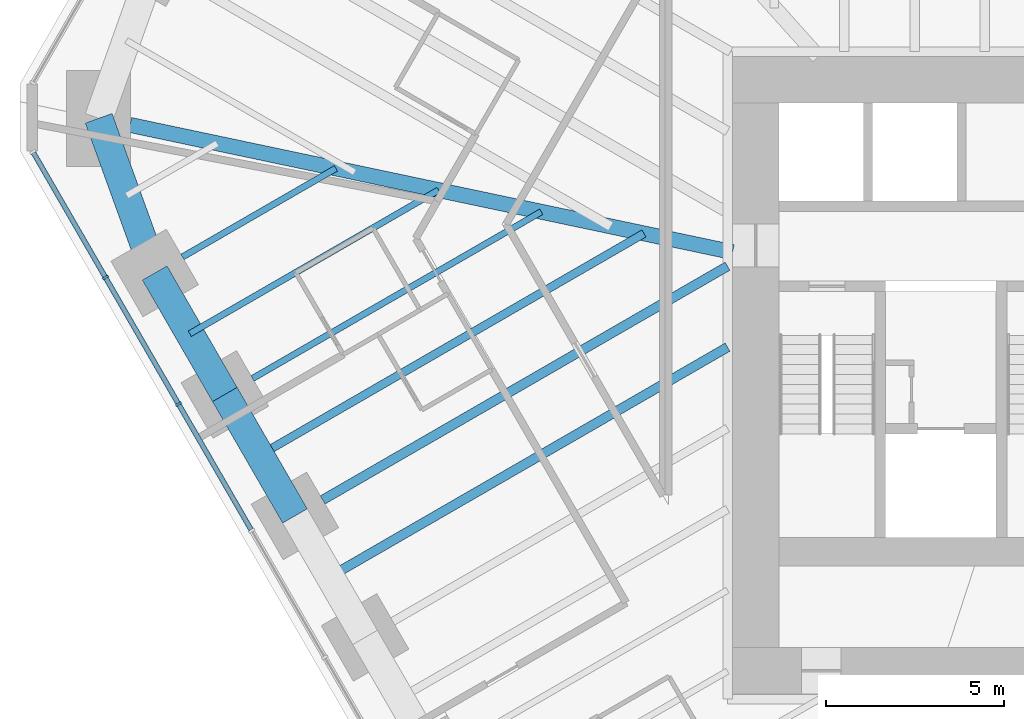
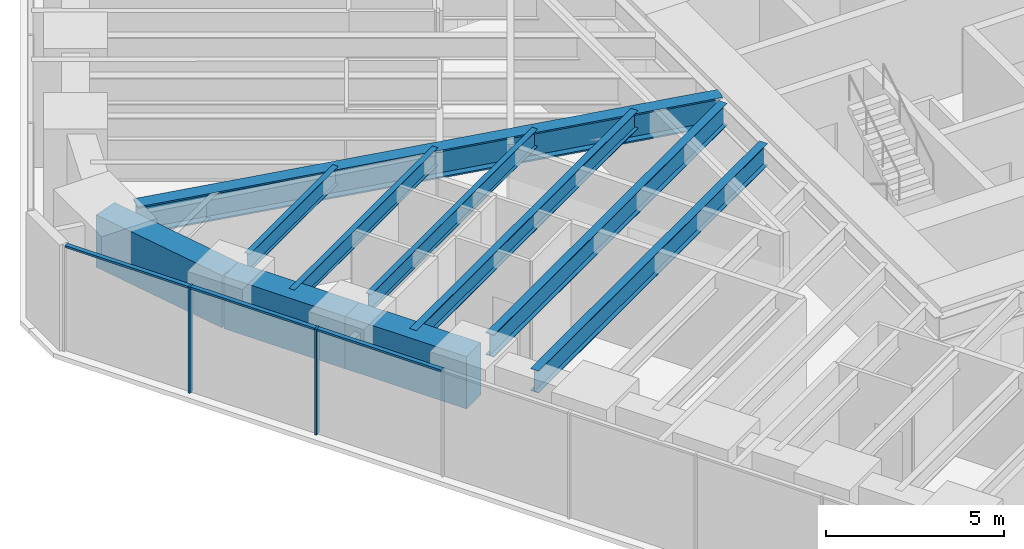
# One storey, part 3 of 17: 10 beams, 5 members, 1 element without a shape of its own.
"""IFC4 building model written with IfcOpenShell, lengths in metres."""

import ifcopenshell
import ifcopenshell.guid

model = None  # the IFC model being written
_history = None  # IfcOwnerHistory: only IFC2X3 demands one
_inside = {}  # id of a spatial element -> (the spatial element, [elements in it])
_under = {}  # id of a project, library or spatial element -> (it, [spatial elements below it])
_declared = {}  # id of a project -> (the project, [libraries it declares])
_typed = {}  # id of a type object -> (the type object, [elements of that type])
_made_of = {}  # id of a material, layer set ... -> (it, [elements and type objects made of it])


def new_model(schema):
    """Start an empty IFC model of exactly this schema.

    Asked for "IFC4X3", IfcOpenShell would pick the latest addendum, in which some entities
    have other attributes; the version numbers below select the first issue.
    IFC2X3 requires an IfcOwnerHistory on every rooted entity: one is made here for all.
    """
    global model, _history
    if schema == "IFC4X3":
        model = ifcopenshell.file(schema_version=(4, 3, 0, 0))
    else:
        model = ifcopenshell.file(schema=schema)
    _inside.clear()
    _under.clear()
    _declared.clear()
    _typed.clear()
    _made_of.clear()
    _history = None
    if model.schema == "IFC2X3":
        org = make("IfcOrganization", Name="unknown")
        user = make(
            "IfcPersonAndOrganization",
            ThePerson=make("IfcPerson", FamilyName="unknown"),
            TheOrganization=org,
        )
        app = make(
            "IfcApplication",
            ApplicationDeveloper=org,
            Version="unknown",
            ApplicationFullName="unknown",
            ApplicationIdentifier="unknown",
        )
        _history = make(
            "IfcOwnerHistory",
            OwningUser=user,
            OwningApplication=app,
            ChangeAction="ADDED",
            CreationDate=0,
        )
    return model


def make(cls, **values):
    """One entity of the class cls with the attributes given. An attribute that is None is left unset."""
    return model.create_entity(
        cls, **{name: value for name, value in values.items() if value is not None}
    )


def rooted(cls, **values):
    """An entity with a GlobalId (a new one), such as an element, a storey or a relation."""
    return make(cls, GlobalId=ifcopenshell.guid.new(), OwnerHistory=_history, **values)


def si_unit(unit_type, name, prefix=None):
    """IfcSIUnit, for example si_unit("LENGTHUNIT", "METRE", prefix="MILLI")."""
    return make("IfcSIUnit", UnitType=unit_type, Prefix=prefix, Name=name)


def assignment(units):
    """IfcUnitAssignment: the units of a project."""
    return None if units is None else make("IfcUnitAssignment", Units=units)


def point(xyz):
    """IfcCartesianPoint."""
    return None if xyz is None else make("IfcCartesianPoint", Coordinates=xyz)


def direction(xyz):
    """IfcDirection."""
    return None if xyz is None else make("IfcDirection", DirectionRatios=xyz)


def frame(location, z_axis=None, x_axis=None):
    """IfcAxis2Placement3D, a coordinate frame: its origin and axes. An axis left out is left unset."""
    return make(
        "IfcAxis2Placement3D",
        Location=point(location),
        Axis=direction(z_axis),
        RefDirection=direction(x_axis),
    )


def frame_2d(location, x_axis=None):
    """IfcAxis2Placement2D, a coordinate frame in the plane: its origin and x axis."""
    return make(
        "IfcAxis2Placement2D", Location=point(location), RefDirection=direction(x_axis)
    )


def origin():
    """The frame at (0, 0, 0) with its axes left unset."""
    return frame((0.0, 0.0, 0.0))


def origin_2d():
    """The frame at (0, 0) in the plane with its x axis left unset."""
    return frame_2d((0.0, 0.0))


def place(relative_to, where):
    """IfcLocalPlacement: puts the frame where relative to a parent placement (None: the world)."""
    return make(
        "IfcLocalPlacement", PlacementRelTo=relative_to, RelativePlacement=where
    )


def context(
    kind, dimensions, precision=None, world=None, true_north=None, identifier=None
):
    """IfcGeometricRepresentationContext, for example the 3D "Model" context."""
    return make(
        "IfcGeometricRepresentationContext",
        ContextIdentifier=identifier,
        ContextType=kind,
        CoordinateSpaceDimension=dimensions,
        Precision=precision,
        WorldCoordinateSystem=world,
        TrueNorth=true_north,
    )


def subcontext(parent, identifier, kind, view, scale=None):
    """IfcGeometricRepresentationSubContext, for example "Body" below "Model"."""
    return make(
        "IfcGeometricRepresentationSubContext",
        ContextIdentifier=identifier,
        ContextType=kind,
        ParentContext=parent,
        TargetScale=scale,
        TargetView=view,
    )


def project(units=None, contexts=None):
    """IfcProject with its units and contexts."""
    return rooted(
        "IfcProject",
        Name="project",
        RepresentationContexts=contexts,
        UnitsInContext=assignment(units),
    )


def spatial(cls, under=None, at=None, **own):
    """A site, building, storey or space (cls), placed at a placement, below another one or the project."""
    s = rooted(cls, ObjectPlacement=at, **own)
    if under is not None:
        _under.setdefault(under.id(), (under, []))[1].append(s)
    return s


def profile(cls, at=None, kind="AREA", **sizes):
    """A parametric profile (cls). Its sizes go by their IFC names, for example OverallWidth=200.0."""
    return make(cls, ProfileType=kind, Position=at, **sizes)


def rectangle(**sizes):
    """IfcRectangleProfileDef."""
    return profile("IfcRectangleProfileDef", **sizes)


def i_section(**sizes):
    """IfcIShapeProfileDef."""
    return profile("IfcIShapeProfileDef", **sizes)


def extrude(swept, where, along, depth):
    """IfcExtrudedAreaSolid: the profile swept, set in the frame where, extruded along a direction by depth."""
    return make(
        "IfcExtrudedAreaSolid",
        SweptArea=swept,
        Position=where,
        ExtrudedDirection=direction(along),
        Depth=depth,
    )


def shape(context_of_items, identifier, shape_type, items):
    """IfcShapeRepresentation: the items that make up one representation, for example the "Body"."""
    return make(
        "IfcShapeRepresentation",
        ContextOfItems=context_of_items,
        RepresentationIdentifier=identifier,
        RepresentationType=shape_type,
        Items=items,
    )


def material(Name=None, Category=None):
    """IfcMaterial."""
    return make("IfcMaterial", Name=Name, Category=Category)


def material_profile(
    of_material, cross_section, Name=None, Category=None, Priority=None
):
    """IfcMaterialProfile: a cross section and its material."""
    return make(
        "IfcMaterialProfile",
        Name=Name,
        Material=of_material,
        Profile=cross_section,
        Priority=Priority,
        Category=Category,
    )


def profile_set(profiles, Name=None, composite=None):
    """IfcMaterialProfileSet."""
    return make(
        "IfcMaterialProfileSet",
        Name=Name,
        MaterialProfiles=profiles,
        CompositeProfile=composite,
    )


def made_of(thing, what):
    """Note that an element or type object is made of a material, layer set ...; save() writes the relation."""
    if what is not None:
        _made_of.setdefault(what.id(), (what, []))[1].append(thing)
    return thing


def type_object(cls, material=None, **own):
    """A type object (cls), such as IfcWallType, which elements share."""
    return made_of(rooted(cls, **own), material)


def element(
    cls,
    number,
    at=None,
    inside=None,
    cuts=None,
    type_object=None,
    material=None,
    context=None,
    identifier="Body",
    shape_type=None,
    held_by="IfcProductDefinitionShape",
    body=None,
    shapes=None,
    **own,
):
    """One element of the class cls, such as IfcWall. Its Tag is "e" and its number.

    at: its placement. inside: the storey or other place that contains it. cuts: it is an
    opening in that element (IfcRelVoidsElement). A single representation is given by context,
    identifier, shape_type and body (its items); several are given by shapes. held_by: the class
    of the entity that holds the representations. save() writes the other relations.
    """
    e = rooted(cls, Tag="e%d" % number, ObjectPlacement=at, **own)
    if body is not None:
        shapes = [shape(context, identifier, shape_type, body)]
    if shapes is not None:
        e.Representation = make(held_by, Representations=shapes)
    if inside is not None:
        _inside.setdefault(inside.id(), (inside, []))[1].append(e)
    if cuts is not None:
        rooted(
            "IfcRelVoidsElement", RelatingBuildingElement=cuts, RelatedOpeningElement=e
        )
    if type_object is not None:
        _typed.setdefault(type_object.id(), (type_object, []))[1].append(e)
    return made_of(e, material)


def aggregate(whole, parts):
    """IfcRelAggregates: a whole, such as a stair, and the parts it consists of."""
    return rooted("IfcRelAggregates", RelatingObject=whole, RelatedObjects=parts)


def save(model, path):
    """Write the relations noted so far, then the file.

    IfcRelAggregates (storeys below a building ...), IfcRelContainedInSpatialStructure (elements
    in a storey), IfcRelDefinesByType, IfcRelAssociatesMaterial and IfcRelDeclares: one each for
    every whole, place, type object, material and project.
    """
    for whole, parts in _under.values():
        aggregate(whole, parts)
    for where, things in _inside.values():
        rooted(
            "IfcRelContainedInSpatialStructure",
            RelatedElements=things,
            RelatingStructure=where,
        )
    for kind, things in _typed.values():
        rooted("IfcRelDefinesByType", RelatedObjects=things, RelatingType=kind)
    for what, things in _made_of.values():
        rooted("IfcRelAssociatesMaterial", RelatedObjects=things, RelatingMaterial=what)
    for by, libraries in _declared.values():
        rooted("IfcRelDeclares", RelatingContext=by, RelatedDefinitions=libraries)
    model.write(path)


model = new_model("IFC4")

# Units and contexts
model_context = context("Model", 3, precision=1e-05, world=origin(), true_north=direction((0.0, 1.0)))
body_context = subcontext(model_context, "Body", "Model", "MODEL_VIEW")
ifc_project = project(units=[si_unit("LENGTHUNIT", "METRE"), si_unit("AREAUNIT", "SQUARE_METRE"), si_unit("VOLUMEUNIT", "CUBIC_METRE"), si_unit("PLANEANGLEUNIT", "RADIAN"), si_unit("MASSUNIT", "GRAM", prefix="KILO")], contexts=[model_context])

# Site, building, storey
site_placement = place(None, origin())
site = spatial("IfcSite", under=ifc_project, at=site_placement, CompositionType="ELEMENT")
building_placement = place(site_placement, origin())
building = spatial("IfcBuilding", under=site, at=building_placement, Name="Sandreach Pilgrim Tower", CompositionType="ELEMENT")
storey_placement = place(building_placement, frame((0.0, 0.0, 104.39990234375)))
storey = spatial("IfcBuildingStorey", under=building, at=storey_placement, Name="L25", CompositionType="ELEMENT", Elevation=104.39990234375)

# Curtain wall, members
ifc_material_1 = material(Name="Aluminium framed curtain wall", Category="aluminium")
curtain_wall_type = type_object("IfcCurtainWallType", Name="Hotel tower curtain wall", PredefinedType="NOTDEFINED", material=ifc_material_1)
curtain_wall_placement = place(storey_placement, origin())
curtain_wall = element("IfcCurtainWall", 1, at=curtain_wall_placement, inside=storey, type_object=curtain_wall_type, Name="CW-2 L25 SW", PredefinedType="NOTDEFINED")
ifc_material_2 = material(Name="Aluminium extrusion", Category="aluminium")
ifc_material_profile_1 = material_profile(ifc_material_2, rectangle(XDim=0.06494140625, YDim=0.179931640625, at=origin_2d()), Name="CW-2M 65X180")
ifc_profile_set_1 = profile_set([ifc_material_profile_1], Name="Aluminium extrusion")
member_type_1 = type_object("IfcMemberType", Name="CW-2 mullion", PredefinedType="MULLION", material=ifc_profile_set_1)
member_1_placement = place(storey_placement, frame((-24.614013671875, -2.35498046875, 0.0), z_axis=(0.0, 0.0, 1.0), x_axis=(-0.5, 0.866025403784, 0.0)))
member_1 = element("IfcMember", 2, at=member_1_placement, type_object=member_type_1, Name="CW-2 mullion 8", PredefinedType="MULLION", context=body_context, shape_type="SweptSolid", body=[
    extrude(rectangle(XDim=0.06494140625, YDim=0.179931640625, at=origin_2d()), origin(), (0.0, 0.0, 1.0), 3.64013671875),
])
member_2_placement = place(storey_placement, frame((-26.66748046875, 1.20166015625, 0.0), z_axis=(0.0, 0.0, 1.0), x_axis=(-0.5, 0.866025403784, 0.0)))
member_2 = element("IfcMember", 3, at=member_2_placement, type_object=member_type_1, Name="CW-2 mullion 9", PredefinedType="MULLION", context=body_context, shape_type="SweptSolid", body=[
    extrude(rectangle(XDim=0.06494140625, YDim=0.179931640625, at=origin_2d()), origin(), (0.0, 0.0, 1.0), 3.64013671875),
])
ifc_material_3 = material(Name="Aluminium extrusion", Category="aluminium")
ifc_material_profile_2 = material_profile(ifc_material_3, rectangle(XDim=0.139892578125, YDim=0.070068359375, at=origin_2d()), Name="CW-2T 140X70")
ifc_profile_set_2 = profile_set([ifc_material_profile_2], Name="Aluminium extrusion")
member_type_2 = type_object("IfcMemberType", Name="CW-2 transom", PredefinedType="USERDEFINED", material=ifc_profile_set_2)
member_3_placement = place(storey_placement, frame((-22.57666015625, -5.883544921875, 3.60498046875), z_axis=(-0.500023973715, 0.866011562111, 0.0), x_axis=(-0.866011562111, -0.500023973715, 0.0)))
member_3 = element("IfcMember", 4, at=member_3_placement, type_object=member_type_2, Name="CW-2 head transom 7", ObjectType="TRANSOM", PredefinedType="USERDEFINED", context=body_context, shape_type="SweptSolid", body=[
    extrude(rectangle(XDim=0.139892578125, YDim=0.070068359375, at=origin_2d()), origin(), (0.0, 0.0, 1.0), 4.041748046875),
])
member_4_placement = place(storey_placement, frame((-24.630126953125, -2.326904296875, 3.60498046875), z_axis=(-0.499997818338, 0.866026663364, 0.0), x_axis=(-0.866026663364, -0.499997818338, 0.0)))
member_4 = element("IfcMember", 5, at=member_4_placement, type_object=member_type_2, Name="CW-2 head transom 8", ObjectType="TRANSOM", PredefinedType="USERDEFINED", context=body_context, shape_type="SweptSolid", body=[
    extrude(rectangle(XDim=0.139892578125, YDim=0.070068359375, at=origin_2d()), origin(), (0.0, 0.0, 1.0), 4.0419921875),
])
member_5_placement = place(storey_placement, frame((-26.68359375, 1.229736328125, 3.60498046875), z_axis=(-0.500015851672, 0.866016251624, 0.0), x_axis=(-0.866016251624, -0.500015851672, 0.0)))
member_5 = element("IfcMember", 6, at=member_5_placement, type_object=member_type_2, Name="CW-2 head transom 9", ObjectType="TRANSOM", PredefinedType="USERDEFINED", context=body_context, shape_type="SweptSolid", body=[
    extrude(rectangle(XDim=0.139892578125, YDim=0.070068359375, at=origin_2d()), origin(), (0.0, 0.0, 1.0), 4.009521484375),
])
aggregate(curtain_wall, [member_1, member_2, member_3, member_4, member_5])

# Beams
ifc_material_4 = material(Name="Steel ASTM A992 Grade 50", Category="steel")
ifc_material_profile_3 = material_profile(ifc_material_4, i_section(OverallWidth=0.424072265625, OverallDepth=0.965087890625, WebThickness=0.028564453125, FlangeThickness=0.051025390625, at=origin_2d()), Name="W36X361")
ifc_profile_set_3 = profile_set([ifc_material_profile_3], Name="Steel ASTM A992 Grade 50")
beam_type_1 = type_object("IfcBeamType", Name="Corner girder W36X361", PredefinedType="BEAM", material=ifc_profile_set_3)
beam_1_placement = place(storey_placement, frame((-25.976806640625, 5.484619140625, 3.157470703125), z_axis=(0.978427882284, -0.206588671447, 0.0), x_axis=(0.206588671447, 0.978427882284, 0.0)))
element("IfcBeam", 7, at=beam_1_placement, inside=storey, type_object=beam_type_1, Name="BM L25 CG35", PredefinedType="BEAM", context=body_context, shape_type="SweptSolid", body=[
    extrude(i_section(OverallWidth=0.424072265625, OverallDepth=0.965087890625, WebThickness=0.028564453125, FlangeThickness=0.051025390625, at=origin_2d()), origin(), (0.0, 0.0, 1.0), 17.300048828125),
])
ifc_material_5 = material(Name="Steel ASTM A992 Grade 50", Category="steel")
ifc_material_profile_4 = material_profile(ifc_material_5, i_section(OverallWidth=0.1787109375, OverallDepth=0.60205078125, WebThickness=0.010986328125, FlangeThickness=0.014892578125, at=origin_2d()), Name="W24X62")
ifc_profile_set_4 = profile_set([ifc_material_profile_4], Name="Steel ASTM A992 Grade 50")
beam_type_2 = type_object("IfcBeamType", Name="Floor beam W24X62", PredefinedType="BEAM", material=ifc_profile_set_4)
beam_2_placement = place(storey_placement, frame((-22.534423828125, -1.63671875, 3.339111328125), z_axis=(0.866012351917, 0.500022605817, 0.0), x_axis=(-0.500022605817, 0.866012351917, 0.0)))
element("IfcBeam", 8, at=beam_2_placement, inside=storey, type_object=beam_type_2, Name="BM L25 F33", PredefinedType="BEAM", context=body_context, shape_type="SweptSolid", body=[
    extrude(i_section(OverallWidth=0.1787109375, OverallDepth=0.60205078125, WebThickness=0.010986328125, FlangeThickness=0.014892578125, at=origin_2d()), origin(), (0.0, 0.0, 1.0), 9.3642578125),
])
beam_3_placement = place(storey_placement, frame((-24.50439453125, 1.775390625, 3.339111328125), z_axis=(0.866024645457, 0.500001313459, 0.0), x_axis=(-0.500001313459, 0.866024645457, 0.0)))
element("IfcBeam", 9, at=beam_3_placement, inside=storey, type_object=beam_type_2, Name="BM L25 F34", PredefinedType="BEAM", context=body_context, shape_type="SweptSolid", body=[
    extrude(i_section(OverallWidth=0.1787109375, OverallDepth=0.60205078125, WebThickness=0.010986328125, FlangeThickness=0.014892578125, at=origin_2d()), origin(), (0.0, 0.0, 1.0), 4.9765625),
])
beam_4_placement = place(storey_placement, frame((-24.298828125, -0.380615234375, 3.339111328125), z_axis=(0.866022864518, 0.500004398112, 0.0), x_axis=(-0.500004398112, 0.866022864518, 0.0)))
element("IfcBeam", 10, at=beam_4_placement, inside=storey, type_object=beam_type_2, Name="BM L25 FM33", PredefinedType="BEAM", context=body_context, shape_type="SweptSolid", body=[
    extrude(i_section(OverallWidth=0.1787109375, OverallDepth=0.60205078125, WebThickness=0.010986328125, FlangeThickness=0.014892578125, at=origin_2d()), origin(), (0.0, 0.0, 1.0), 8.0703125),
])
ifc_material_6 = material(Name="Steel ASTM A992 Grade 50", Category="steel")
ifc_material_profile_5 = material_profile(ifc_material_6, i_section(OverallWidth=0.23046875, OverallDepth=0.6171875, WebThickness=0.01318359375, FlangeThickness=0.022216796875, at=origin_2d()), Name="W24X94")
ifc_profile_set_5 = profile_set([ifc_material_profile_5], Name="Steel ASTM A992 Grade 50")
beam_type_3 = type_object("IfcBeamType", Name="Floor beam W24X94", PredefinedType="BEAM", material=ifc_profile_set_5)
beam_5_placement = place(storey_placement, frame((-22.328857421875, -3.792724609375, 3.33154296875), z_axis=(0.866019150617, 0.500010830648, 0.0), x_axis=(-0.500010830648, 0.866019150617, 0.0)))
element("IfcBeam", 11, at=beam_5_placement, inside=storey, type_object=beam_type_3, Name="BM L25 FM32", PredefinedType="BEAM", context=body_context, shape_type="SweptSolid", body=[
    extrude(i_section(OverallWidth=0.23046875, OverallDepth=0.6171875, WebThickness=0.01318359375, FlangeThickness=0.022216796875, at=origin_2d()), origin(), (0.0, 0.0, 1.0), 12.458251953125),
])
ifc_material_7 = material(Name="Steel ASTM A992 Grade 50", Category="steel")
ifc_material_profile_6 = material_profile(ifc_material_7, i_section(OverallWidth=0.2666015625, OverallDepth=0.761962890625, WebThickness=0.014404296875, FlangeThickness=0.021484375, at=origin_2d()), Name="W30X116")
ifc_profile_set_6 = profile_set([ifc_material_profile_6], Name="Steel ASTM A992 Grade 50")
beam_type_4 = type_object("IfcBeamType", Name="Floor beam W30X116", PredefinedType="BEAM", material=ifc_profile_set_6)
beam_6_placement = place(storey_placement, frame((-20.564453125, -5.048828125, 3.259033203125), z_axis=(0.866022715736, 0.500004655807, 0.0), x_axis=(-0.500004655807, 0.866022715736, 0.0)))
element("IfcBeam", 12, at=beam_6_placement, inside=storey, type_object=beam_type_4, Name="BM L25 F32", PredefinedType="BEAM", context=body_context, shape_type="SweptSolid", body=[
    extrude(i_section(OverallWidth=0.2666015625, OverallDepth=0.761962890625, WebThickness=0.014404296875, FlangeThickness=0.021484375, at=origin_2d()), origin(), (0.0, 0.0, 1.0), 13.130126953125),
])
beam_7_placement = place(storey_placement, frame((-20.35888671875, -7.204833984375, 3.259033203125), z_axis=(0.866021609098, 0.500006572533, 0.0), x_axis=(-0.500006572533, 0.866021609098, 0.0)))
element("IfcBeam", 13, at=beam_7_placement, inside=storey, type_object=beam_type_4, Name="BM L25 FM31", PredefinedType="BEAM", context=body_context, shape_type="SweptSolid", body=[
    extrude(i_section(OverallWidth=0.2666015625, OverallDepth=0.761962890625, WebThickness=0.014404296875, FlangeThickness=0.021484375, at=origin_2d()), origin(), (0.0, 0.0, 1.0), 12.892822265625),
])
ifc_material_8 = material(Name="Concrete 10000 psi", Category="concrete")
ifc_material_profile_7 = material_profile(ifc_material_8, rectangle(XDim=0.800048828125, YDim=1.800048828125, at=origin_2d()), Name="RC800X1800")
ifc_profile_set_7 = profile_set([ifc_material_profile_7], Name="Concrete 10000 psi")
beam_type_5 = type_object("IfcBeamType", Name="Spandrel beam RC800X1800", PredefinedType="SPANDREL", material=ifc_profile_set_7)
for number, where, z_axis, x_axis, name in (
    (14, (-21.343994140625, -5.498779296875, 2.739990234375), (-0.49999779889, 0.866026674592, 0.0), (-0.866026674592, -0.49999779889, 0.0), "BM L25 SP32"),
    (15, (-23.31396484375, -2.086669921875, 2.739990234375), (-0.49999779889, 0.866026674592, 0.0), (-0.866026674592, -0.49999779889, 0.0), "BM L25 SP33"),
):
    element("IfcBeam", number, at=place(storey_placement, frame(where, z_axis=z_axis, x_axis=x_axis)), inside=storey, type_object=beam_type_5, Name=name, PredefinedType="SPANDREL", context=body_context, shape_type="SweptSolid", body=[
        extrude(rectangle(XDim=0.800048828125, YDim=1.800048828125, at=origin_2d()), origin(), (0.0, 0.0, 1.0), 3.93994140625),
    ])
beam_8_placement = place(storey_placement, frame((-25.283935546875, 1.325439453125, 2.739990234375), z_axis=(-0.340453163563, 0.940261476091, 0.0), x_axis=(-0.940261476091, -0.340453163563, 0.0)))
element("IfcBeam", 16, at=beam_8_placement, inside=storey, type_object=beam_type_5, Name="BM L25 SP34", PredefinedType="SPANDREL", context=body_context, shape_type="SweptSolid", body=[
    extrude(rectangle(XDim=0.800048828125, YDim=1.800048828125, at=origin_2d()), origin(), (0.0, 0.0, 1.0), 4.62109375),
])

save(model, "model.ifc")
